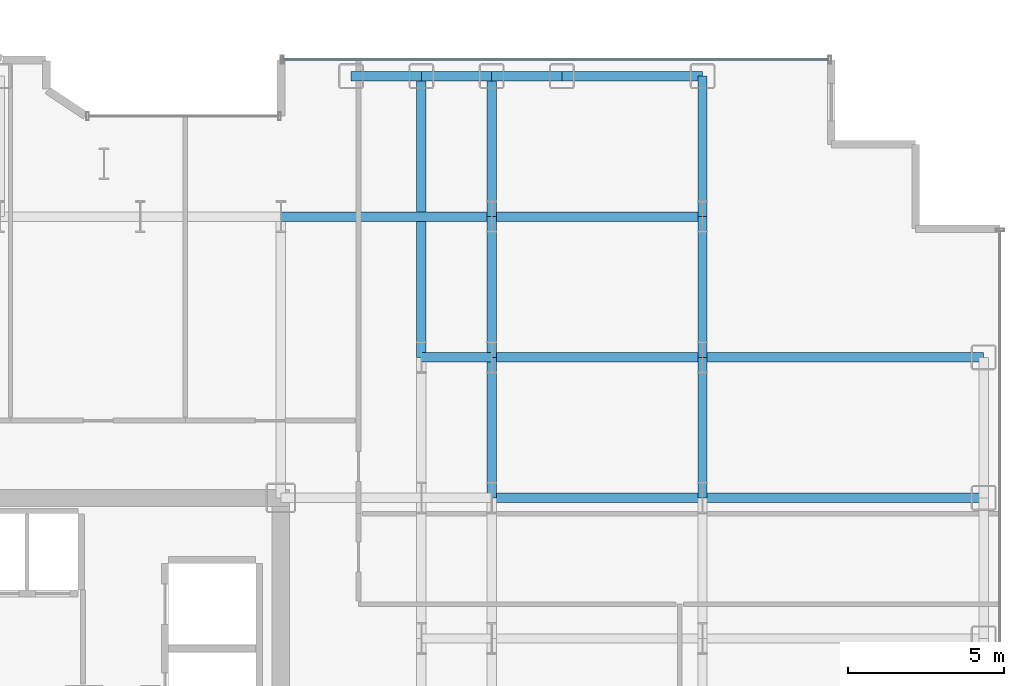
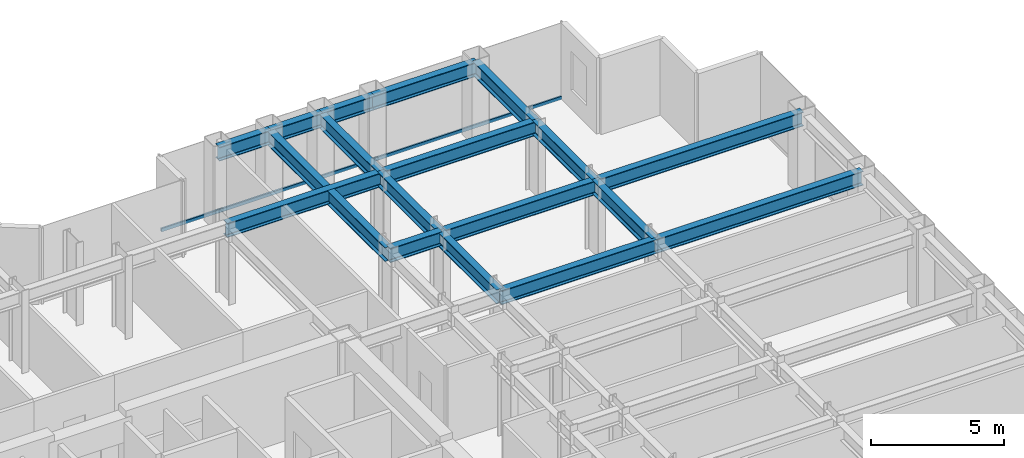
# One storey, part 13 of 26: 18 beams, 1 member, 1 element without a shape of its own.
"""IFC4 building model written with IfcOpenShell, lengths in metres."""

from ifc_helpers import new_model, si_unit, direction, frame, origin, origin_2d, place, context, subcontext, project, spatial, hollow_rectangle, i_section, extrude, source, transform, mapped, material, layer, layer_set, material_profile, profile_set, type_object, element, aggregate, save


model = new_model("IFC4")

# Units and contexts
model_context = context("Model", 3, precision=1e-05, world=origin(), true_north=direction((0.0, 1.0)))
body_context = subcontext(model_context, "Body", "Model", "MODEL_VIEW")
ifc_project = project(units=[si_unit("LENGTHUNIT", "METRE"), si_unit("AREAUNIT", "SQUARE_METRE"), si_unit("VOLUMEUNIT", "CUBIC_METRE"), si_unit("PLANEANGLEUNIT", "RADIAN"), si_unit("MASSUNIT", "GRAM", prefix="KILO")], contexts=[model_context])

# Site, building, storey
site_placement = place(None, origin())
site = spatial("IfcSite", under=ifc_project, at=site_placement, CompositionType="ELEMENT")
building_placement = place(site_placement, origin())
building = spatial("IfcBuilding", under=site, at=building_placement, Name="Nefas-Gora Pilgrimage Tower", CompositionType="ELEMENT")
storey_placement = place(building_placement, frame((0.0, 0.0, 140.199951171875)))
storey = spatial("IfcBuildingStorey", under=building, at=storey_placement, Name="L34", CompositionType="ELEMENT", Elevation=140.199951171875)

# Beams
ifc_material_1 = material(Name="Steel S355", Category="steel")
ifc_material_profile_1 = material_profile(ifc_material_1, i_section(OverallWidth=0.300048828125, OverallDepth=0.64990234375, WebThickness=0.01611328125, FlangeThickness=0.031005859375, FilletRadius=0.027099609375, at=origin_2d()), Name="HEB 650")
ifc_profile_set_1 = profile_set([ifc_material_profile_1], Name="Steel S355")
beam_type_1 = type_object("IfcBeamType", Name="BM-SPN-HEB500", PredefinedType="SPANDREL", material=ifc_profile_set_1)
shared_shape_1 = source(origin(), body_context, "Body", "SweptSolid", [
    extrude(i_section(OverallWidth=0.300048828125, OverallDepth=0.64990234375, WebThickness=0.01611328125, FlangeThickness=0.031005859375, FilletRadius=0.027099609375, at=origin_2d()), origin(), (0.0, 0.0, 1.0), 4.5),
])
beam_1_placement = place(storey_placement, frame((20.25, 22.5, 3.175048828125), z_axis=(1.0, 0.0, 0.0), x_axis=(0.0, 1.0, 0.0)))
element("IfcBeam", 1, at=beam_1_placement, inside=storey, type_object=beam_type_1, Name="L34 SP-02 beam", PredefinedType="SPANDREL", context=body_context, shape_type="MappedRepresentation", body=[
    mapped(shared_shape_1, transform((0.0, 0.0, 0.0), x_axis=(1.0, 0.0, 0.0), y_axis=(0.0, 1.0, 0.0), z_axis=(0.0, 0.0, 1.0), scale=1.0)),
])
ifc_material_profile_2 = material_profile(ifc_material_1, i_section(OverallWidth=0.300048828125, OverallDepth=0.64990234375, WebThickness=0.01611328125, FlangeThickness=0.031005859375, FilletRadius=0.027099609375, at=origin_2d()), Name="HEB 650")
ifc_profile_set_2 = profile_set([ifc_material_profile_2], Name="Steel S355")
beam_type_2 = type_object("IfcBeamType", Name="BM-GIR-HEB650", PredefinedType="BEAM", material=ifc_profile_set_2)
shared_shape_2 = source(origin(), body_context, "Body", "SweptSolid", [
    extrude(i_section(OverallWidth=0.300048828125, OverallDepth=0.64990234375, WebThickness=0.01611328125, FlangeThickness=0.031005859375, FilletRadius=0.027099609375, at=origin_2d()), origin(), (0.0, 0.0, 1.0), 9.0),
])
for number, where, z_axis, x_axis, name in (
    (2, (15.75, 13.5, 3.175048828125), (0.0, 1.0, 0.0), (-1.0, 0.0, 0.0), "L34 G-03 beam"),
    (3, (24.75, 9.0, 3.175048828125), (1.0, 0.0, 0.0), (0.0, 1.0, 0.0), "L34 G-03 beam"),
    (4, (24.75, 13.5, 3.175048828125), (1.0, 0.0, 0.0), (0.0, 1.0, 0.0), "L34 G-03 beam"),
):
    element("IfcBeam", number, at=place(storey_placement, frame(where, z_axis=z_axis, x_axis=x_axis)), inside=storey, type_object=beam_type_2, Name=name, PredefinedType="BEAM", context=body_context, shape_type="MappedRepresentation", body=[
        mapped(shared_shape_2, transform((0.0, 0.0, 0.0), x_axis=(1.0, 0.0, 0.0), y_axis=(0.0, 1.0, 0.0), z_axis=(0.0, 0.0, 1.0), scale=1.0)),
    ])
shared_shape_3 = source(origin(), body_context, "Body", "SweptSolid", [
    extrude(i_section(OverallWidth=0.300048828125, OverallDepth=0.64990234375, WebThickness=0.01611328125, FlangeThickness=0.031005859375, FilletRadius=0.027099609375, at=origin_2d()), origin(), (0.0, 0.0, 1.0), 4.5),
])
for number, where, z_axis, x_axis, name in (
    (5, (18.0, 9.0, 3.175048828125), (0.0, 1.0, 0.0), (-1.0, 0.0, 0.0), "L34 G-03 beam"),
    (6, (18.0, 13.5, 3.175048828125), (0.0, 1.0, 0.0), (-1.0, 0.0, 0.0), "L34 G-03 beam"),
    (7, (18.0, 18.0, 3.175048828125), (0.0, 1.0, 0.0), (-1.0, 0.0, 0.0), "L34 G-03 beam"),
    (8, (24.75, 9.0, 3.175048828125), (0.0, 1.0, 0.0), (-1.0, 0.0, 0.0), "L34 G-03 beam"),
    (9, (24.75, 13.5, 3.175048828125), (0.0, 1.0, 0.0), (-1.0, 0.0, 0.0), "L34 G-03 beam"),
    (10, (24.75, 18.0, 3.175048828125), (0.0, 1.0, 0.0), (-1.0, 0.0, 0.0), "L34 G-03 beam"),
):
    element("IfcBeam", number, at=place(storey_placement, frame(where, z_axis=z_axis, x_axis=x_axis)), inside=storey, type_object=beam_type_2, Name=name, PredefinedType="BEAM", context=body_context, shape_type="MappedRepresentation", body=[
        mapped(shared_shape_3, transform((0.0, 0.0, 0.0), x_axis=(1.0, 0.0, 0.0), y_axis=(0.0, 1.0, 0.0), z_axis=(0.0, 0.0, 1.0), scale=1.0)),
    ])
shared_shape_4 = source(origin(), body_context, "Body", "SweptSolid", [
    extrude(i_section(OverallWidth=0.300048828125, OverallDepth=0.64990234375, WebThickness=0.01611328125, FlangeThickness=0.031005859375, FilletRadius=0.027099609375, at=origin_2d()), origin(), (0.0, 0.0, 1.0), 6.75),
])
for number, where, z_axis, x_axis, name in (
    (11, (11.25, 18.0, 3.175048828125), (1.0, 0.0, 0.0), (0.0, 1.0, 0.0), "L34 G-03 beam"),
    (12, (18.0, 9.0, 3.175048828125), (1.0, 0.0, 0.0), (0.0, 1.0, 0.0), "L34 G-03 beam"),
    (13, (18.0, 13.5, 3.175048828125), (1.0, 0.0, 0.0), (0.0, 1.0, 0.0), "L34 G-03 beam"),
    (14, (18.0, 18.0, 3.175048828125), (1.0, 0.0, 0.0), (0.0, 1.0, 0.0), "L34 G-03 beam"),
):
    element("IfcBeam", number, at=place(storey_placement, frame(where, z_axis=z_axis, x_axis=x_axis)), inside=storey, type_object=beam_type_2, Name=name, PredefinedType="BEAM", context=body_context, shape_type="MappedRepresentation", body=[
        mapped(shared_shape_4, transform((0.0, 0.0, 0.0), x_axis=(1.0, 0.0, 0.0), y_axis=(0.0, 1.0, 0.0), z_axis=(0.0, 0.0, 1.0), scale=1.0)),
    ])
shared_shape_5 = source(origin(), body_context, "Body", "SweptSolid", [
    extrude(i_section(OverallWidth=0.300048828125, OverallDepth=0.64990234375, WebThickness=0.01611328125, FlangeThickness=0.031005859375, FilletRadius=0.027099609375, at=origin_2d()), origin(), (0.0, 0.0, 1.0), 2.25),
])
for number, where, z_axis, x_axis, name in (
    (15, (13.5, 22.5, 3.175048828125), (1.0, 0.0, 0.0), (0.0, 1.0, 0.0), "L34 SP-02 beam"),
    (16, (15.75, 22.5, 3.175048828125), (1.0, 0.0, 0.0), (0.0, 1.0, 0.0), "L34 SP-02 beam"),
    (17, (18.0, 22.5, 3.175048828125), (1.0, 0.0, 0.0), (0.0, 1.0, 0.0), "L34 SP-02 beam"),
):
    element("IfcBeam", number, at=place(storey_placement, frame(where, z_axis=z_axis, x_axis=x_axis)), inside=storey, type_object=beam_type_1, Name=name, PredefinedType="SPANDREL", context=body_context, shape_type="MappedRepresentation", body=[
        mapped(shared_shape_5, transform((0.0, 0.0, 0.0), x_axis=(1.0, 0.0, 0.0), y_axis=(0.0, 1.0, 0.0), z_axis=(0.0, 0.0, 1.0), scale=1.0)),
    ])
shared_shape_6 = source(origin(), body_context, "Body", "SweptSolid", [
    extrude(i_section(OverallWidth=0.300048828125, OverallDepth=0.64990234375, WebThickness=0.01611328125, FlangeThickness=0.031005859375, FilletRadius=0.027099609375, at=origin_2d()), origin(), (0.0, 0.0, 1.0), 2.25),
])
beam_2_placement = place(storey_placement, frame((15.75, 13.5, 3.175048828125), z_axis=(1.0, 0.0, 0.0), x_axis=(0.0, 1.0, 0.0)))
element("IfcBeam", 18, at=beam_2_placement, inside=storey, type_object=beam_type_2, Name="L34 G-03 beam", PredefinedType="BEAM", context=body_context, shape_type="MappedRepresentation", body=[
    mapped(shared_shape_6, transform((0.0, 0.0, 0.0), x_axis=(1.0, 0.0, 0.0), y_axis=(0.0, 1.0, 0.0), z_axis=(0.0, 0.0, 1.0), scale=1.0)),
])

# Curtain wall, member
ifc_material_2 = material(Name="Dark ceramic-fritted solar-control aluminium-glass curtain wall", Category="aluminium")
ifc_layer = layer(ifc_material_2, 0.219970703125)
ifc_layer_set = layer_set([ifc_layer], Name="Dark ceramic-fritted solar-control aluminium-glass curtain wall")
curtain_wall_type = type_object("IfcCurtainWallType", Name="CW-SYS-2", PredefinedType="NOTDEFINED", material=ifc_layer_set)
curtain_wall_placement = place(storey_placement, origin())
curtain_wall = element("IfcCurtainWall", 19, at=curtain_wall_placement, inside=storey, type_object=curtain_wall_type, Name="L34 Unitised Curtain Wall CW2", PredefinedType="NOTDEFINED")
ifc_material_3 = material(Name="Anodised architectural aluminium", Category="aluminium")
ifc_material_profile_3 = material_profile(ifc_material_3, hollow_rectangle(XDim=0.080078125, YDim=0.159912109375, WallThickness=0.00439453125, InnerFilletRadius=0.00439453125, OuterFilletRadius=0.009033203125, at=origin_2d()), Name="ALU TRANSOM 80x160")
ifc_profile_set_3 = profile_set([ifc_material_profile_3], Name="Anodised architectural aluminium")
member_type = type_object("IfcMemberType", Name="CWM-TRN-2", PredefinedType="USERDEFINED", material=ifc_profile_set_3)
shared_shape_7 = source(origin(), body_context, "Body", "SweptSolid", [
    extrude(hollow_rectangle(XDim=0.080078125, YDim=0.159912109375, WallThickness=0.00439453125, InnerFilletRadius=0.00439453125, OuterFilletRadius=0.009033203125, at=origin_2d()), origin(), (0.0, 0.0, 1.0), 17.43994140625),
])
member_placement = place(storey_placement, frame((28.780029296875, 23.02001953125, 0.050048828125), z_axis=(-1.0, 0.0, 0.0), x_axis=(0.0, -1.0, 0.0)))
member = element("IfcMember", 20, at=member_placement, type_object=member_type, Name="CW2 Spandrel Transom", ObjectType="TRANSOM", PredefinedType="USERDEFINED", context=body_context, shape_type="MappedRepresentation", body=[
    mapped(shared_shape_7, transform((0.0, 0.0, 0.0), x_axis=(1.0, 0.0, 0.0), y_axis=(0.0, 1.0, 0.0), z_axis=(0.0, 0.0, 1.0), scale=1.0)),
])
aggregate(curtain_wall, [member])

save(model, "model.ifc")
